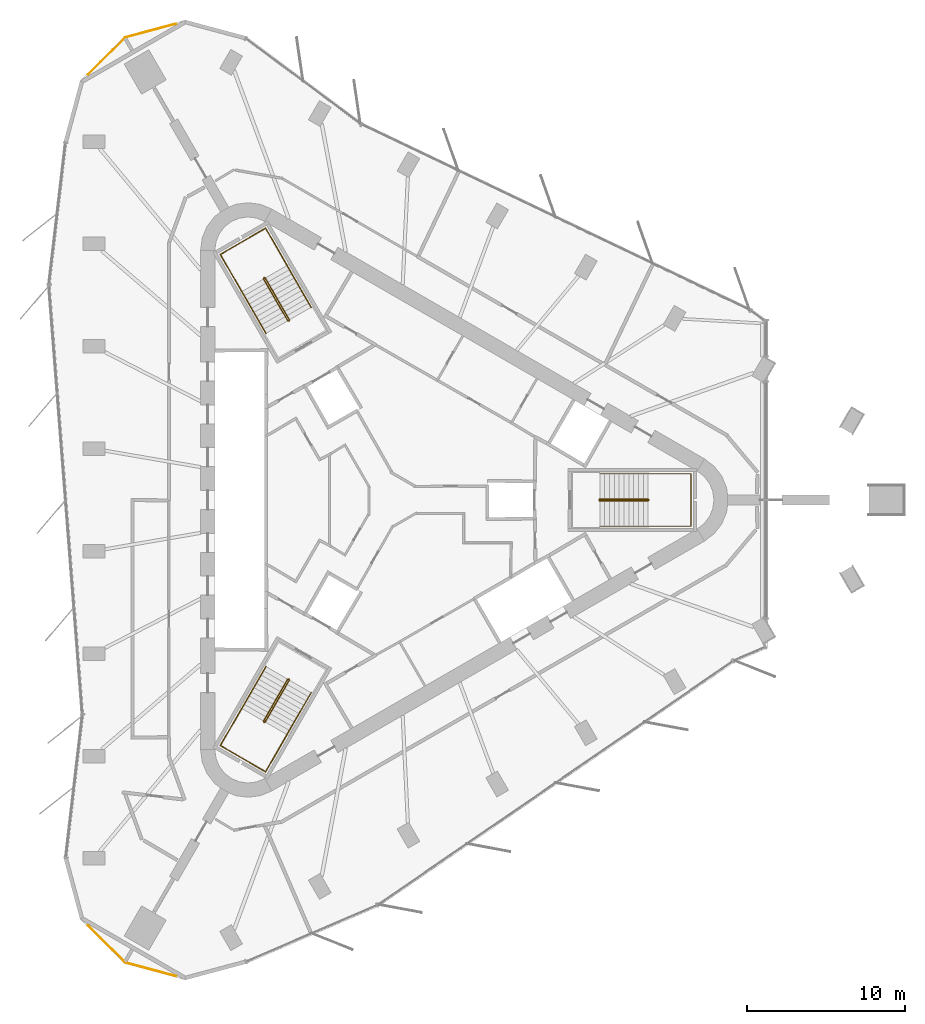
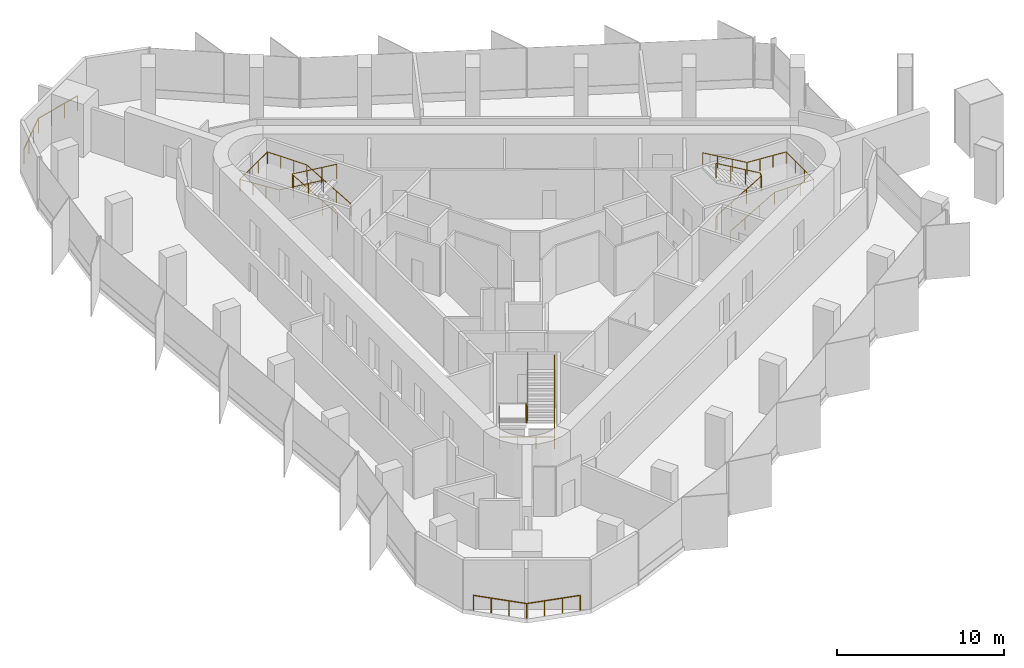
# One storey, part 12 of 12: 8 railings.
"""IFC4 building model written with IfcOpenShell, lengths in metres."""

from ifc_helpers import new_model, si_unit, direction, frame, origin, origin_2d, place, context, subcontext, project, spatial, circle, extrude, material, type_object, element, save


model = new_model("IFC4")

# Units and contexts
model_context = context("Model", 3, precision=1e-05, world=origin(), true_north=direction((0.0, 1.0)))
body_context = subcontext(model_context, "Body", "Model", "MODEL_VIEW")
ifc_project = project(units=[si_unit("LENGTHUNIT", "METRE"), si_unit("AREAUNIT", "SQUARE_METRE"), si_unit("VOLUMEUNIT", "CUBIC_METRE"), si_unit("PLANEANGLEUNIT", "RADIAN"), si_unit("MASSUNIT", "GRAM", prefix="KILO")], contexts=[model_context])

# Site, building, storey
site_placement = place(None, origin())
site = spatial("IfcSite", under=ifc_project, at=site_placement, CompositionType="ELEMENT")
building_placement = place(site_placement, origin())
building = spatial("IfcBuilding", under=site, at=building_placement, Name="Tanit Gate Tower", CompositionType="ELEMENT")
storey_placement = place(building_placement, frame((0.0, 0.0, 384.5)))
storey = spatial("IfcBuildingStorey", under=building, at=storey_placement, Name="L88", CompositionType="ELEMENT", Elevation=384.5)

# Railings
ifc_material_1 = material(Name="Stainless steel", Category="steel")
railing_type_1 = type_object("IfcRailingType", Name="Guard 1100 stainless steel balustrade", PredefinedType="GUARDRAIL", material=ifc_material_1)
railing_1_placement = place(storey_placement, frame((-13.66552734375, -30.05126953125, 0.0)))
element("IfcRailing", 1, at=railing_1_placement, inside=storey, type_object=railing_type_1, Name="Corner ledge guard L88 1", PredefinedType="GUARDRAIL", context=body_context, shape_type="SweptSolid", body=[
    extrude(circle(Radius=0.02392578125, at=origin_2d()), frame((0.0, 0.0, 1.076171875), z_axis=(-0.965927598952, 0.258812429344, 0.0), x_axis=(-0.258812429344, -0.965927598952, 0.0)), (0.0, 0.0, 1.0), 3.303466796875),
    extrude(circle(Radius=0.02392578125, at=origin_2d()), frame((-3.19091796875, 0.85498046875, 1.076171875), z_axis=(-0.707106781187, 0.707106781187, 0.0), x_axis=(-0.707106781187, -0.707106781187, 0.0)), (0.0, 0.0, 1.0), 3.303466796875),
    extrude(circle(Radius=0.02099609375, at=origin_2d()), origin(), (0.0, 0.0, 1.0), 1.052001953125),
    extrude(circle(Radius=0.02099609375, at=origin_2d()), frame((-1.063720703125, 0.284912109375, 0.0)), (0.0, 0.0, 1.0), 1.052001953125),
    extrude(circle(Radius=0.02099609375, at=origin_2d()), frame((-2.127197265625, 0.570068359375, 0.0)), (0.0, 0.0, 1.0), 1.052001953125),
    extrude(circle(Radius=0.02099609375, at=origin_2d()), frame((-3.19091796875, 0.85498046875, 0.0)), (0.0, 0.0, 1.0), 1.052001953125),
    extrude(circle(Radius=0.02099609375, at=origin_2d()), frame((-3.969482421875, 1.633544921875, 0.0)), (0.0, 0.0, 1.0), 1.052001953125),
    extrude(circle(Radius=0.02099609375, at=origin_2d()), frame((-4.748291015625, 2.412353515625, 0.0)), (0.0, 0.0, 1.0), 1.052001953125),
    extrude(circle(Radius=0.02099609375, at=origin_2d()), frame((-5.52685546875, 3.19091796875, 0.0)), (0.0, 0.0, 1.0), 1.052001953125),
])
railing_2_placement = place(storey_placement, frame((-19.1923828125, 26.8603515625, 0.0)))
element("IfcRailing", 2, at=railing_2_placement, inside=storey, type_object=railing_type_1, Name="Corner ledge guard L88 2", PredefinedType="GUARDRAIL", context=body_context, shape_type="SweptSolid", body=[
    extrude(circle(Radius=0.02392578125, at=origin_2d()), frame((0.0, 0.0, 1.076171875), z_axis=(0.707106781187, 0.707106781187, 0.0), x_axis=(-0.707106781187, 0.707106781187, 0.0)), (0.0, 0.0, 1.0), 3.303466796875),
    extrude(circle(Radius=0.02392578125, at=origin_2d()), frame((2.3359375, 2.3359375, 1.076171875), z_axis=(0.965927598952, 0.258812429344, 0.0), x_axis=(-0.258812429344, 0.965927598952, 0.0)), (0.0, 0.0, 1.0), 3.303466796875),
    extrude(circle(Radius=0.02099609375, at=origin_2d()), origin(), (0.0, 0.0, 1.0), 1.052001953125),
    extrude(circle(Radius=0.02099609375, at=origin_2d()), frame((0.778564453125, 0.778564453125, 0.0)), (0.0, 0.0, 1.0), 1.052001953125),
    extrude(circle(Radius=0.02099609375, at=origin_2d()), frame((1.557373046875, 1.557373046875, 0.0)), (0.0, 0.0, 1.0), 1.052001953125),
    extrude(circle(Radius=0.02099609375, at=origin_2d()), frame((2.3359375, 2.3359375, 0.0)), (0.0, 0.0, 1.0), 1.052001953125),
    extrude(circle(Radius=0.02099609375, at=origin_2d()), frame((3.399658203125, 2.620849609375, 0.0)), (0.0, 0.0, 1.0), 1.052001953125),
    extrude(circle(Radius=0.02099609375, at=origin_2d()), frame((4.463134765625, 2.906005859375, 0.0)), (0.0, 0.0, 1.0), 1.052001953125),
    extrude(circle(Radius=0.02099609375, at=origin_2d()), frame((5.52685546875, 3.19091796875, 0.0)), (0.0, 0.0, 1.0), 1.052001953125),
])
ifc_material_2 = material(Name="Stainless steel balustrade", Category="steel")
railing_type_2 = type_object("IfcRailingType", Name="INT-STAIR-GUARD", PredefinedType="GUARDRAIL", material=ifc_material_2)
railing_3_placement = place(storey_placement, frame((13.044921875, 0.0048828125, 0.0)))
element("IfcRailing", 3, at=railing_3_placement, inside=storey, type_object=railing_type_2, Name="L88 S1 stair guard 1", PredefinedType="GUARDRAIL", context=body_context, shape_type="SweptSolid", body=[
    extrude(circle(Radius=0.02392578125, at=origin_2d()), frame((0.0, 0.0, 1.076171875), z_axis=(0.0, -1.0, 0.0), x_axis=(1.0, 0.0, 0.0)), (0.0, 0.0, 1.0), 0.009765625),
    extrude(circle(Radius=0.02392578125, at=origin_2d()), frame((0.0, -0.009765625, 1.076171875), z_axis=(0.262233686654, -0.262233686654, 0.928691007369), x_axis=(0.707106781187, 0.707106781187, 0.0)), (0.0, 0.0, 1.0), 0.19091796875),
    extrude(circle(Radius=0.02392578125, at=origin_2d()), frame((0.050048828125, -0.059814453125, 1.25341796875), z_axis=(0.864648382064, 0.0, 0.502377522779), x_axis=(0.0, 1.0, 0.0)), (0.0, 0.0, 1.0), 3.528564453125),
    extrude(circle(Radius=0.02392578125, at=origin_2d()), frame((3.10107421875, -0.059814453125, 3.02587890625), z_axis=(0.707106781187, 0.707106781187, 0.0), x_axis=(-0.707106781187, 0.707106781187, 0.0)), (0.0, 0.0, 1.0), 0.07080078125),
    extrude(circle(Radius=0.02392578125, at=origin_2d()), frame((3.151123046875, -0.009765625, 3.02587890625), z_axis=(0.0, 1.0, 0.0), x_axis=(-1.0, 0.0, 0.0)), (0.0, 0.0, 1.0), 0.009765625),
    extrude(circle(Radius=0.02392578125, at=origin_2d()), frame((3.151123046875, 0.0, 3.02587890625), z_axis=(-0.262233686654, 0.262233686654, 0.928691007369), x_axis=(-0.707106781187, -0.707106781187, 0.0)), (0.0, 0.0, 1.0), 0.19091796875),
    extrude(circle(Radius=0.02392578125, at=origin_2d()), frame((3.10107421875, 0.050048828125, 3.203125), z_axis=(-0.864648382064, 0.0, 0.502377522779), x_axis=(0.0, -1.0, 0.0)), (0.0, 0.0, 1.0), 3.528564453125),
    extrude(circle(Radius=0.02099609375, at=origin_2d()), origin(), (0.0, 0.0, 1.0), 1.052001953125),
    extrude(circle(Radius=0.02099609375, at=origin_2d()), frame((0.0, -0.009765625, 0.0)), (0.0, 0.0, 1.0), 1.052001953125),
    extrude(circle(Radius=0.02099609375, at=origin_2d()), frame((0.050048828125, -0.059814453125, 0.17724609375)), (0.0, 0.0, 1.0), 1.052001953125),
    extrude(circle(Radius=0.02099609375, at=origin_2d()), frame((1.067138671875, -0.059814453125, 0.76806640625)), (0.0, 0.0, 1.0), 1.052001953125),
    extrude(circle(Radius=0.02099609375, at=origin_2d()), frame((2.083984375, -0.059814453125, 1.359130859375)), (0.0, 0.0, 1.0), 1.052001953125),
    extrude(circle(Radius=0.02099609375, at=origin_2d()), frame((3.10107421875, -0.059814453125, 1.949951171875)), (0.0, 0.0, 1.0), 1.052001953125),
    extrude(circle(Radius=0.02099609375, at=origin_2d()), frame((3.151123046875, -0.009765625, 1.949951171875)), (0.0, 0.0, 1.0), 1.052001953125),
    extrude(circle(Radius=0.02099609375, at=origin_2d()), frame((3.151123046875, 0.0, 1.949951171875)), (0.0, 0.0, 1.0), 1.052001953125),
    extrude(circle(Radius=0.02099609375, at=origin_2d()), frame((3.10107421875, 0.050048828125, 2.127197265625)), (0.0, 0.0, 1.0), 1.052001953125),
    extrude(circle(Radius=0.02099609375, at=origin_2d()), frame((2.083984375, 0.050048828125, 2.718017578125)), (0.0, 0.0, 1.0), 1.052001953125),
    extrude(circle(Radius=0.02099609375, at=origin_2d()), frame((1.067138671875, 0.050048828125, 3.30908203125)), (0.0, 0.0, 1.0), 1.052001953125),
    extrude(circle(Radius=0.02099609375, at=origin_2d()), frame((0.050048828125, 0.050048828125, 3.89990234375)), (0.0, 0.0, 1.0), 1.052001953125),
])
railing_4_placement = place(storey_placement, frame((-6.527099609375, 11.29345703125, 0.0)))
element("IfcRailing", 4, at=railing_4_placement, inside=storey, type_object=railing_type_2, Name="L88 S2 stair guard 1", PredefinedType="GUARDRAIL", context=body_context, shape_type="SweptSolid", body=[
    extrude(circle(Radius=0.02392578125, at=origin_2d()), frame((0.0, 0.0, 1.076171875), z_axis=(0.868243142124, 0.496138938357, 0.0), x_axis=(-0.496138938357, 0.868243142124, 0.0)), (0.0, 0.0, 1.0), 0.01171875),
    extrude(circle(Radius=0.02392578125, at=origin_2d()), frame((0.01025390625, 0.005859375, 1.076171875), z_axis=(0.095941116058, 0.358180166617, 0.928710003441), x_axis=(-0.965948051503, 0.258736085224, 0.0)), (0.0, 0.0, 1.0), 0.19091796875),
    extrude(circle(Radius=0.02392578125, at=origin_2d()), frame((0.028564453125, 0.07421875, 1.25341796875), z_axis=(-0.4322777601, 0.748681545756, 0.50260509465), x_axis=(-0.866012246495, -0.500022788402, 0.0)), (0.0, 0.0, 1.0), 3.527099609375),
    extrude(circle(Radius=0.02392578125, at=origin_2d()), frame((-1.49609375, 2.71484375, 3.02587890625), z_axis=(-0.965715946433, 0.259601060869, 0.0), x_axis=(-0.259601060869, -0.965715946433, 0.0)), (0.0, 0.0, 1.0), 0.070556640625),
    extrude(circle(Radius=0.02392578125, at=origin_2d()), frame((-1.564208984375, 2.733154296875, 3.02587890625), z_axis=(-0.873197702015, -0.487366159264, 0.0), x_axis=(0.487366159264, -0.873197702015, 0.0)), (0.0, 0.0, 1.0), 0.011962890625),
    extrude(circle(Radius=0.02392578125, at=origin_2d()), frame((-1.57470703125, 2.727294921875, 3.02587890625), z_axis=(-0.095941116058, -0.358180166617, 0.928710003441), x_axis=(0.965948051503, -0.258736085224, 0.0)), (0.0, 0.0, 1.0), 0.19091796875),
    extrude(circle(Radius=0.02392578125, at=origin_2d()), frame((-1.593017578125, 2.658935546875, 3.203125), z_axis=(0.4322777601, -0.748681545756, 0.50260509465), x_axis=(0.866012246495, 0.500022788402, 0.0)), (0.0, 0.0, 1.0), 3.527099609375),
    extrude(circle(Radius=0.02099609375, at=origin_2d()), origin(), (0.0, 0.0, 1.0), 1.052001953125),
    extrude(circle(Radius=0.02099609375, at=origin_2d()), frame((0.01025390625, 0.005859375, 0.0)), (0.0, 0.0, 1.0), 1.052001953125),
    extrude(circle(Radius=0.02099609375, at=origin_2d()), frame((0.028564453125, 0.07421875, 0.17724609375)), (0.0, 0.0, 1.0), 1.052001953125),
    extrude(circle(Radius=0.02099609375, at=origin_2d()), frame((-0.479736328125, 0.954345703125, 0.76806640625)), (0.0, 0.0, 1.0), 1.052001953125),
    extrude(circle(Radius=0.02099609375, at=origin_2d()), frame((-0.98779296875, 1.834716796875, 1.359130859375)), (0.0, 0.0, 1.0), 1.052001953125),
    extrude(circle(Radius=0.02099609375, at=origin_2d()), frame((-1.49609375, 2.71484375, 1.949951171875)), (0.0, 0.0, 1.0), 1.052001953125),
    extrude(circle(Radius=0.02099609375, at=origin_2d()), frame((-1.564208984375, 2.733154296875, 1.949951171875)), (0.0, 0.0, 1.0), 1.052001953125),
    extrude(circle(Radius=0.02099609375, at=origin_2d()), frame((-1.57470703125, 2.727294921875, 1.949951171875)), (0.0, 0.0, 1.0), 1.052001953125),
    extrude(circle(Radius=0.02099609375, at=origin_2d()), frame((-1.593017578125, 2.658935546875, 2.127197265625)), (0.0, 0.0, 1.0), 1.052001953125),
    extrude(circle(Radius=0.02099609375, at=origin_2d()), frame((-1.084716796875, 1.77880859375, 2.718017578125)), (0.0, 0.0, 1.0), 1.052001953125),
    extrude(circle(Radius=0.02099609375, at=origin_2d()), frame((-0.57666015625, 0.8984375, 3.30908203125)), (0.0, 0.0, 1.0), 1.052001953125),
    extrude(circle(Radius=0.02099609375, at=origin_2d()), frame((-0.068359375, 0.018310546875, 3.89990234375)), (0.0, 0.0, 1.0), 1.052001953125),
])
railing_5_placement = place(storey_placement, frame((-6.51806640625, -11.2998046875, 0.0)))
element("IfcRailing", 5, at=railing_5_placement, inside=storey, type_object=railing_type_2, Name="L88 S3 stair guard 1", PredefinedType="GUARDRAIL", context=body_context, shape_type="SweptSolid", body=[
    extrude(circle(Radius=0.02392578125, at=origin_2d()), frame((0.0, 0.0, 1.076171875), z_axis=(-0.874157276122, 0.485642931179, 0.0), x_axis=(-0.485642931179, -0.874157276122, 0.0)), (0.0, 0.0, 1.0), 0.010009765625),
    extrude(circle(Radius=0.02392578125, at=origin_2d()), frame((-0.0087890625, 0.0048828125, 1.076171875), z_axis=(-0.358223840744, -0.094673443625, 0.928823244215), x_axis=(0.255512919477, -0.966805641264, 0.0)), (0.0, 0.0, 1.0), 0.19091796875),
    extrude(circle(Radius=0.02392578125, at=origin_2d()), frame((-0.0771484375, -0.01318359375, 1.25341796875), z_axis=(-0.432289778901, -0.748827189027, 0.502377734411), x_axis=(0.866048339477, -0.499960272111, 0.0)), (0.0, 0.0, 1.0), 3.528564453125),
    extrude(circle(Radius=0.02392578125, at=origin_2d()), frame((-1.6025390625, -2.655517578125, 3.02587890625), z_axis=(0.258736085224, -0.965948051503, 0.0), x_axis=(0.965948051503, 0.258736085224, 0.0)), (0.0, 0.0, 1.0), 0.07080078125),
    extrude(circle(Radius=0.02392578125, at=origin_2d()), frame((-1.584228515625, -2.723876953125, 3.02587890625), z_axis=(0.868243142124, -0.496138938357, 0.0), x_axis=(0.496138938357, 0.868243142124, 0.0)), (0.0, 0.0, 1.0), 0.009765625),
    extrude(circle(Radius=0.02392578125, at=origin_2d()), frame((-1.57568359375, -2.728759765625, 3.02587890625), z_axis=(0.358180166617, 0.095941116058, 0.928710003441), x_axis=(-0.258736085224, 0.965948051503, 0.0)), (0.0, 0.0, 1.0), 0.19091796875),
    extrude(circle(Radius=0.02392578125, at=origin_2d()), frame((-1.50732421875, -2.71044921875, 3.203125), z_axis=(0.432368434633, 0.748774395838, 0.502388734816), x_axis=(-0.865993683553, 0.500054937028, 0.0)), (0.0, 0.0, 1.0), 3.528564453125),
    extrude(circle(Radius=0.02099609375, at=origin_2d()), origin(), (0.0, 0.0, 1.0), 1.052001953125),
    extrude(circle(Radius=0.02099609375, at=origin_2d()), frame((-0.0087890625, 0.0048828125, 0.0)), (0.0, 0.0, 1.0), 1.052001953125),
    extrude(circle(Radius=0.02099609375, at=origin_2d()), frame((-0.0771484375, -0.01318359375, 0.17724609375)), (0.0, 0.0, 1.0), 1.052001953125),
    extrude(circle(Radius=0.02099609375, at=origin_2d()), frame((-0.585693359375, -0.89404296875, 0.76806640625)), (0.0, 0.0, 1.0), 1.052001953125),
    extrude(circle(Radius=0.02099609375, at=origin_2d()), frame((-1.093994140625, -1.774658203125, 1.359130859375)), (0.0, 0.0, 1.0), 1.052001953125),
    extrude(circle(Radius=0.02099609375, at=origin_2d()), frame((-1.6025390625, -2.655517578125, 1.949951171875)), (0.0, 0.0, 1.0), 1.052001953125),
    extrude(circle(Radius=0.02099609375, at=origin_2d()), frame((-1.584228515625, -2.723876953125, 1.949951171875)), (0.0, 0.0, 1.0), 1.052001953125),
    extrude(circle(Radius=0.02099609375, at=origin_2d()), frame((-1.57568359375, -2.728759765625, 1.949951171875)), (0.0, 0.0, 1.0), 1.052001953125),
    extrude(circle(Radius=0.02099609375, at=origin_2d()), frame((-1.50732421875, -2.71044921875, 2.127197265625)), (0.0, 0.0, 1.0), 1.052001953125),
    extrude(circle(Radius=0.02099609375, at=origin_2d()), frame((-0.998779296875, -1.829833984375, 2.718017578125)), (0.0, 0.0, 1.0), 1.052001953125),
    extrude(circle(Radius=0.02099609375, at=origin_2d()), frame((-0.490234375, -0.948974609375, 3.30908203125)), (0.0, 0.0, 1.0), 1.052001953125),
    extrude(circle(Radius=0.02099609375, at=origin_2d()), frame((0.018310546875, -0.068359375, 3.89990234375)), (0.0, 0.0, 1.0), 1.052001953125),
])
ifc_material_3 = material(Name="Stainless steel handrail", Category="steel")
railing_type_3 = type_object("IfcRailingType", Name="INT-STAIR-HANDRAIL", PredefinedType="HANDRAIL", material=ifc_material_3)
railing_6_placement = place(storey_placement, frame((13.094970703125, -1.64990234375, 0.17724609375)))
element("IfcRailing", 6, at=railing_6_placement, inside=storey, type_object=railing_type_3, Name="L88 S1 stair handrail 1", PredefinedType="HANDRAIL", context=body_context, shape_type="SweptSolid", body=[
    extrude(circle(Radius=0.02392578125, at=origin_2d()), frame((0.0, 0.0, 0.8759765625), z_axis=(0.864648382064, 0.0, 0.502377522779), x_axis=(0.0, 1.0, 0.0)), (0.0, 0.0, 1.0), 3.528564453125),
    extrude(circle(Radius=0.02392578125, at=origin_2d()), frame((3.051025390625, 0.0, 2.6484375), z_axis=(1.0, 0.0, 0.0), x_axis=(0.0, 1.0, 0.0)), (0.0, 0.0, 1.0), 2.7041015625),
    extrude(circle(Radius=0.02392578125, at=origin_2d()), frame((5.755126953125, 0.0, 2.6484375), z_axis=(0.0, 1.0, 0.0), x_axis=(-1.0, 0.0, 0.0)), (0.0, 0.0, 1.0), 3.2998046875),
    extrude(circle(Radius=0.02392578125, at=origin_2d()), frame((5.755126953125, 3.2998046875, 2.6484375), z_axis=(-0.997858684482, 0.0, 0.065406771843), x_axis=(0.0, -1.0, 0.0)), (0.0, 0.0, 1.0), 2.7099609375),
    extrude(circle(Radius=0.02392578125, at=origin_2d()), frame((3.051025390625, 3.2998046875, 2.82568359375), z_axis=(-0.864648382064, 0.0, 0.502377522779), x_axis=(0.0, -1.0, 0.0)), (0.0, 0.0, 1.0), 3.528564453125),
    extrude(circle(Radius=0.02099609375, at=origin_2d()), origin(), (0.0, 0.0, 1.0), 0.851806640625),
    extrude(circle(Radius=0.02099609375, at=origin_2d()), frame((1.01708984375, 0.0, 0.5908203125)), (0.0, 0.0, 1.0), 0.851806640625),
    extrude(circle(Radius=0.02099609375, at=origin_2d()), frame((2.033935546875, 0.0, 1.181884765625)), (0.0, 0.0, 1.0), 0.851806640625),
    extrude(circle(Radius=0.02099609375, at=origin_2d()), frame((3.051025390625, 0.0, 1.772705078125)), (0.0, 0.0, 1.0), 0.851806640625),
    extrude(circle(Radius=0.02099609375, at=origin_2d()), frame((3.952392578125, 0.0, 1.772705078125)), (0.0, 0.0, 1.0), 0.851806640625),
    extrude(circle(Radius=0.02099609375, at=origin_2d()), frame((4.853759765625, 0.0, 1.772705078125)), (0.0, 0.0, 1.0), 0.851806640625),
    extrude(circle(Radius=0.02099609375, at=origin_2d()), frame((5.755126953125, 0.0, 1.772705078125)), (0.0, 0.0, 1.0), 0.851806640625),
    extrude(circle(Radius=0.02099609375, at=origin_2d()), frame((5.755126953125, 1.099853515625, 1.772705078125)), (0.0, 0.0, 1.0), 0.851806640625),
    extrude(circle(Radius=0.02099609375, at=origin_2d()), frame((5.755126953125, 2.199951171875, 1.772705078125)), (0.0, 0.0, 1.0), 0.851806640625),
    extrude(circle(Radius=0.02099609375, at=origin_2d()), frame((5.755126953125, 3.2998046875, 1.772705078125)), (0.0, 0.0, 1.0), 0.851806640625),
    extrude(circle(Radius=0.02099609375, at=origin_2d()), frame((4.853759765625, 3.2998046875, 1.831787109375)), (0.0, 0.0, 1.0), 0.851806640625),
    extrude(circle(Radius=0.02099609375, at=origin_2d()), frame((3.952392578125, 3.2998046875, 1.890869140625)), (0.0, 0.0, 1.0), 0.851806640625),
    extrude(circle(Radius=0.02099609375, at=origin_2d()), frame((3.051025390625, 3.2998046875, 1.949951171875)), (0.0, 0.0, 1.0), 0.851806640625),
    extrude(circle(Radius=0.02099609375, at=origin_2d()), frame((2.033935546875, 3.2998046875, 2.540771484375)), (0.0, 0.0, 1.0), 0.851806640625),
    extrude(circle(Radius=0.02099609375, at=origin_2d()), frame((1.01708984375, 3.2998046875, 3.1318359375)), (0.0, 0.0, 1.0), 0.851806640625),
    extrude(circle(Radius=0.02099609375, at=origin_2d()), frame((0.0, 3.2998046875, 3.72265625)), (0.0, 0.0, 1.0), 0.851806640625),
])
railing_7_placement = place(storey_placement, frame((-5.1181640625, 12.164794921875, 0.17724609375)))
element("IfcRailing", 7, at=railing_7_placement, inside=storey, type_object=railing_type_3, Name="L88 S2 stair handrail 1", PredefinedType="HANDRAIL", context=body_context, shape_type="SweptSolid", body=[
    extrude(circle(Radius=0.02392578125, at=origin_2d()), frame((0.0, 0.0, 0.8759765625), z_axis=(-0.432221472453, 0.748703947157, 0.502620133164), x_axis=(-0.866046917185, -0.499962735845, 0.0)), (0.0, 0.0, 1.0), 3.52685546875),
    extrude(circle(Radius=0.02392578125, at=origin_2d()), frame((-1.5244140625, 2.640625, 2.6484375), z_axis=(-0.500019123664, 0.86601436245, 0.0), x_axis=(-0.86601436245, -0.500019123664, 0.0)), (0.0, 0.0, 1.0), 2.70703125),
    extrude(circle(Radius=0.02392578125, at=origin_2d()), frame((-2.8779296875, 4.98486328125, 2.6484375), z_axis=(-0.866008176907, -0.50002983664, 0.0), x_axis=(0.50002983664, -0.866008176907, 0.0)), (0.0, 0.0, 1.0), 3.300048828125),
    extrude(circle(Radius=0.02392578125, at=origin_2d()), frame((-5.73583984375, 3.334716796875, 2.6484375), z_axis=(0.498989459885, -0.864141018102, 0.065343857842), x_axis=(0.865991810323, 0.500058181068, 0.0)), (0.0, 0.0, 1.0), 2.71240234375),
    extrude(circle(Radius=0.02392578125, at=origin_2d()), frame((-4.38232421875, 0.99072265625, 2.82568359375), z_axis=(0.432255358616, -0.748711963836, 0.502579048665), x_axis=(0.866032263162, 0.499988119021, 0.0)), (0.0, 0.0, 1.0), 3.527099609375),
    extrude(circle(Radius=0.02099609375, at=origin_2d()), origin(), (0.0, 0.0, 1.0), 0.851806640625),
    extrude(circle(Radius=0.02099609375, at=origin_2d()), frame((-0.508056640625, 0.880126953125, 0.5908203125)), (0.0, 0.0, 1.0), 0.851806640625),
    extrude(circle(Radius=0.02099609375, at=origin_2d()), frame((-1.016357421875, 1.760498046875, 1.181884765625)), (0.0, 0.0, 1.0), 0.851806640625),
    extrude(circle(Radius=0.02099609375, at=origin_2d()), frame((-1.5244140625, 2.640625, 1.772705078125)), (0.0, 0.0, 1.0), 0.851806640625),
    extrude(circle(Radius=0.02099609375, at=origin_2d()), frame((-1.9755859375, 3.422119140625, 1.772705078125)), (0.0, 0.0, 1.0), 0.851806640625),
    extrude(circle(Radius=0.02099609375, at=origin_2d()), frame((-2.4267578125, 4.203369140625, 1.772705078125)), (0.0, 0.0, 1.0), 0.851806640625),
    extrude(circle(Radius=0.02099609375, at=origin_2d()), frame((-2.8779296875, 4.98486328125, 1.772705078125)), (0.0, 0.0, 1.0), 0.851806640625),
    extrude(circle(Radius=0.02099609375, at=origin_2d()), frame((-3.83056640625, 4.434814453125, 1.772705078125)), (0.0, 0.0, 1.0), 0.851806640625),
    extrude(circle(Radius=0.02099609375, at=origin_2d()), frame((-4.783203125, 3.884765625, 1.772705078125)), (0.0, 0.0, 1.0), 0.851806640625),
    extrude(circle(Radius=0.02099609375, at=origin_2d()), frame((-5.73583984375, 3.334716796875, 1.772705078125)), (0.0, 0.0, 1.0), 0.851806640625),
    extrude(circle(Radius=0.02099609375, at=origin_2d()), frame((-5.28466796875, 2.553466796875, 1.831787109375)), (0.0, 0.0, 1.0), 0.851806640625),
    extrude(circle(Radius=0.02099609375, at=origin_2d()), frame((-4.83349609375, 1.77197265625, 1.890869140625)), (0.0, 0.0, 1.0), 0.851806640625),
    extrude(circle(Radius=0.02099609375, at=origin_2d()), frame((-4.38232421875, 0.99072265625, 1.949951171875)), (0.0, 0.0, 1.0), 0.851806640625),
    extrude(circle(Radius=0.02099609375, at=origin_2d()), frame((-3.8740234375, 0.1103515625, 2.540771484375)), (0.0, 0.0, 1.0), 0.851806640625),
    extrude(circle(Radius=0.02099609375, at=origin_2d()), frame((-3.365966796875, -0.769775390625, 3.1318359375)), (0.0, 0.0, 1.0), 0.851806640625),
    extrude(circle(Radius=0.02099609375, at=origin_2d()), frame((-2.857666015625, -1.650146484375, 3.72265625)), (0.0, 0.0, 1.0), 0.851806640625),
])
railing_8_placement = place(storey_placement, frame((-7.9765625, -10.515625, 0.17724609375)))
element("IfcRailing", 8, at=railing_8_placement, inside=storey, type_object=railing_type_3, Name="L88 S3 stair handrail 1", PredefinedType="HANDRAIL", context=body_context, shape_type="SweptSolid", body=[
    extrude(circle(Radius=0.02392578125, at=origin_2d()), frame((0.0, 0.0, 0.8759765625), z_axis=(-0.432289778901, -0.748827189027, 0.502377734411), x_axis=(0.866048339477, -0.499960272111, 0.0)), (0.0, 0.0, 1.0), 3.528564453125),
    extrude(circle(Radius=0.02392578125, at=origin_2d()), frame((-1.525390625, -2.642333984375, 2.6484375), z_axis=(-0.50004290449, -0.866000631449, 0.0), x_axis=(0.866000631449, -0.50004290449, 0.0)), (0.0, 0.0, 1.0), 2.703857421875),
    extrude(circle(Radius=0.02392578125, at=origin_2d()), frame((-2.87744140625, -4.98388671875, 2.6484375), z_axis=(0.866008176907, -0.50002983664, 0.0), x_axis=(0.50002983664, 0.866008176907, 0.0)), (0.0, 0.0, 1.0), 3.300048828125),
    extrude(circle(Radius=0.02392578125, at=origin_2d()), frame((-0.01953125, -6.634033203125, 2.6484375), z_axis=(0.498933124603, 0.864168748861, 0.065407267689), x_axis=(-0.866023205937, 0.500003806764, 0.0)), (0.0, 0.0, 1.0), 2.7099609375),
    extrude(circle(Radius=0.02392578125, at=origin_2d()), frame((1.33251953125, -4.292236328125, 2.82568359375), z_axis=(0.432289778901, 0.748827189027, 0.502377734411), x_axis=(-0.866048339477, 0.499960272111, 0.0)), (0.0, 0.0, 1.0), 3.528564453125),
    extrude(circle(Radius=0.02099609375, at=origin_2d()), origin(), (0.0, 0.0, 1.0), 0.851806640625),
    extrude(circle(Radius=0.02099609375, at=origin_2d()), frame((-0.508544921875, -0.880859375, 0.5908203125)), (0.0, 0.0, 1.0), 0.851806640625),
    extrude(circle(Radius=0.02099609375, at=origin_2d()), frame((-1.016845703125, -1.761474609375, 1.181884765625)), (0.0, 0.0, 1.0), 0.851806640625),
    extrude(circle(Radius=0.02099609375, at=origin_2d()), frame((-1.525390625, -2.642333984375, 1.772705078125)), (0.0, 0.0, 1.0), 0.851806640625),
    extrude(circle(Radius=0.02099609375, at=origin_2d()), frame((-1.97607421875, -3.4228515625, 1.772705078125)), (0.0, 0.0, 1.0), 0.851806640625),
    extrude(circle(Radius=0.02099609375, at=origin_2d()), frame((-2.4267578125, -4.203369140625, 1.772705078125)), (0.0, 0.0, 1.0), 0.851806640625),
    extrude(circle(Radius=0.02099609375, at=origin_2d()), frame((-2.87744140625, -4.98388671875, 1.772705078125)), (0.0, 0.0, 1.0), 0.851806640625),
    extrude(circle(Radius=0.02099609375, at=origin_2d()), frame((-1.9248046875, -5.533935546875, 1.772705078125)), (0.0, 0.0, 1.0), 0.851806640625),
    extrude(circle(Radius=0.02099609375, at=origin_2d()), frame((-0.97216796875, -6.083984375, 1.772705078125)), (0.0, 0.0, 1.0), 0.851806640625),
    extrude(circle(Radius=0.02099609375, at=origin_2d()), frame((-0.01953125, -6.634033203125, 1.772705078125)), (0.0, 0.0, 1.0), 0.851806640625),
    extrude(circle(Radius=0.02099609375, at=origin_2d()), frame((0.43115234375, -5.853515625, 1.831787109375)), (0.0, 0.0, 1.0), 0.851806640625),
    extrude(circle(Radius=0.02099609375, at=origin_2d()), frame((0.8818359375, -5.07275390625, 1.890869140625)), (0.0, 0.0, 1.0), 0.851806640625),
    extrude(circle(Radius=0.02099609375, at=origin_2d()), frame((1.33251953125, -4.292236328125, 1.949951171875)), (0.0, 0.0, 1.0), 0.851806640625),
    extrude(circle(Radius=0.02099609375, at=origin_2d()), frame((1.841064453125, -3.411376953125, 2.540771484375)), (0.0, 0.0, 1.0), 0.851806640625),
    extrude(circle(Radius=0.02099609375, at=origin_2d()), frame((2.349365234375, -2.53076171875, 3.1318359375)), (0.0, 0.0, 1.0), 0.851806640625),
    extrude(circle(Radius=0.02099609375, at=origin_2d()), frame((2.85791015625, -1.64990234375, 3.72265625)), (0.0, 0.0, 1.0), 0.851806640625),
])

save(model, "model.ifc")
